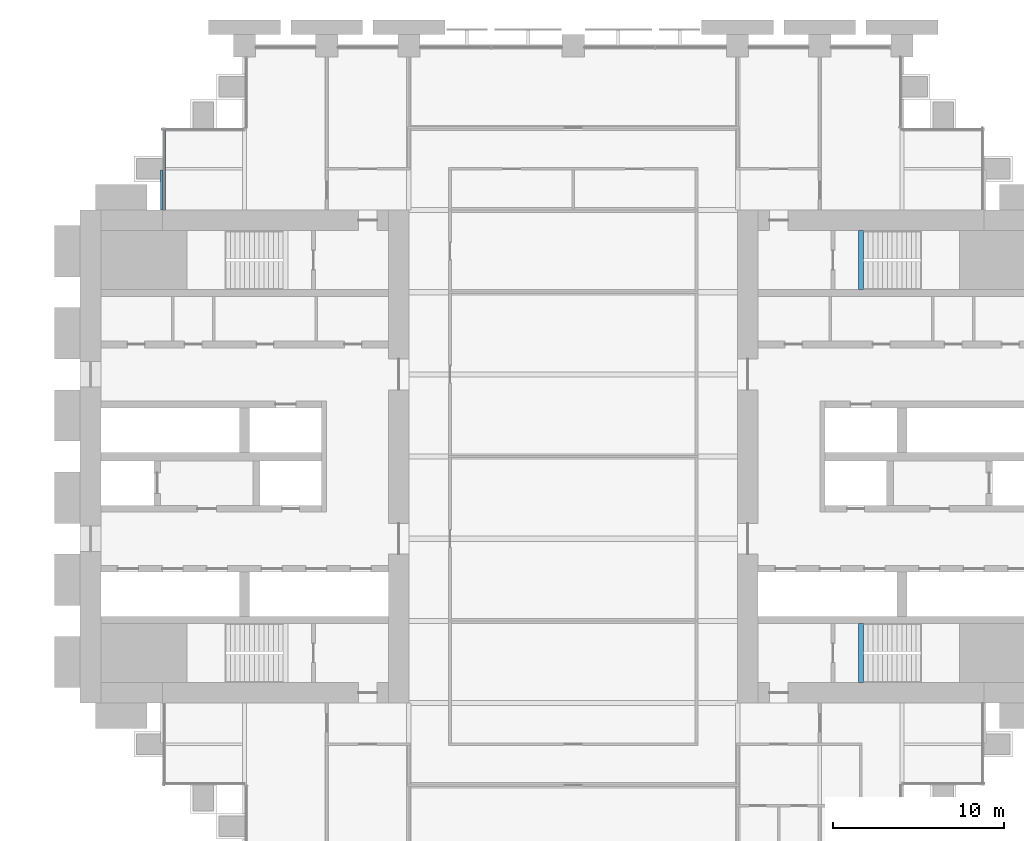
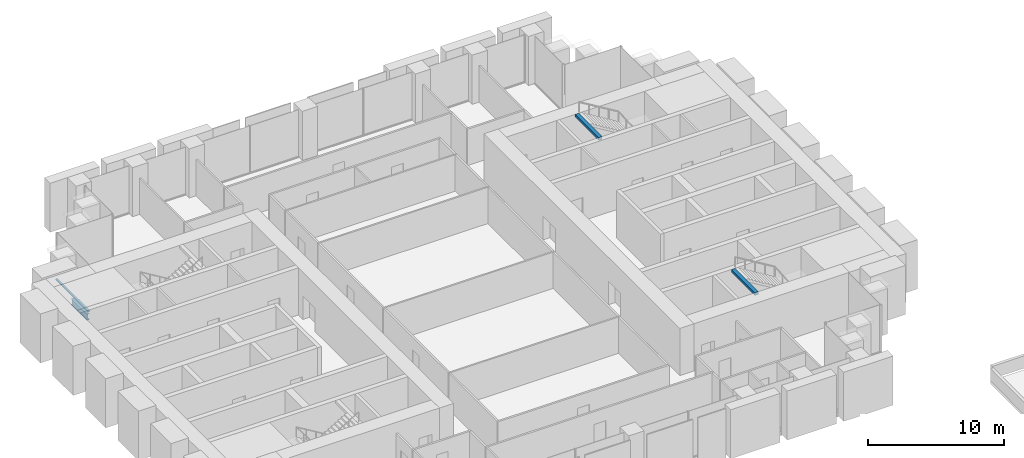
# One storey, part 5 of 14: 3 beams, 1 member, 1 element without a shape of its own.
"""IFC4 building model written with IfcOpenShell, lengths in metres."""

from ifc_helpers import new_model, si_unit, direction, frame, origin, origin_2d, place, context, subcontext, project, spatial, rectangle, i_section, extrude, material, material_profile, profile_set, type_object, element, aggregate, save


model = new_model("IFC4")

# Units and contexts
model_context = context("Model", 3, precision=1e-05, world=origin(), true_north=direction((0.0, 1.0)))
body_context = subcontext(model_context, "Body", "Model", "MODEL_VIEW")
ifc_project = project(units=[si_unit("LENGTHUNIT", "METRE"), si_unit("AREAUNIT", "SQUARE_METRE"), si_unit("VOLUMEUNIT", "CUBIC_METRE"), si_unit("PLANEANGLEUNIT", "RADIAN"), si_unit("MASSUNIT", "GRAM", prefix="KILO")], contexts=[model_context])

# Site, building, storey
site_placement = place(None, origin())
site = spatial("IfcSite", under=ifc_project, at=site_placement, CompositionType="ELEMENT")
building_placement = place(site_placement, origin())
building = spatial("IfcBuilding", under=site, at=building_placement, Name="Baori Bourse Tower", CompositionType="ELEMENT")
storey_placement = place(building_placement, frame((0.0, 0.0, 30.199951171875)))
storey = spatial("IfcBuildingStorey", under=building, at=storey_placement, Name="L05", CompositionType="ELEMENT", Elevation=30.199951171875)

# Curtain wall, member
ifc_material_1 = material(Name="Pale anodised aluminium", Category="aluminium")
curtain_wall_type = type_object("IfcCurtainWallType", Name="CW2 Curtain wall", PredefinedType="NOTDEFINED", material=ifc_material_1)
curtain_wall_placement = place(storey_placement, origin())
curtain_wall = element("IfcCurtainWall", 1, at=curtain_wall_placement, inside=storey, type_object=curtain_wall_type, Name="Curtain wall CW2 L05 7", PredefinedType="NOTDEFINED")
ifc_material_2 = material(Name="Pale anodised aluminium", Category="aluminium")
ifc_material_profile_1 = material_profile(ifc_material_2, rectangle(XDim=0.179931640625, YDim=0.070068359375, at=origin_2d()), Name="Transom 70x180")
ifc_profile_set_1 = profile_set([ifc_material_profile_1], Name="Pale anodised aluminium")
member_type = type_object("IfcMemberType", Name="CW2 Curtain wall transom", PredefinedType="USERDEFINED", material=ifc_profile_set_1)
member_placement = place(storey_placement, frame((4.889892578125, 43.199951171875, 0.03515625), z_axis=(0.0, -1.0, 0.0), x_axis=(1.0, 0.0, 0.0)))
member = element("IfcMember", 2, at=member_placement, type_object=member_type, Name="Curtain wall CW2 sill rail", ObjectType="TRANSOM", PredefinedType="USERDEFINED", context=body_context, shape_type="SweptSolid", body=[
    extrude(rectangle(XDim=0.179931640625, YDim=0.070068359375, at=origin_2d()), origin(), (0.0, 0.0, 1.0), 4.800048828125),
])
aggregate(curtain_wall, [member])

# Beams
ifc_material_3 = material(Name="Steel A992 Gr 50", Category="steel")
ifc_material_profile_2 = material_profile(ifc_material_3, i_section(OverallWidth=0.21240234375, OverallDepth=0.54345703125, WebThickness=0.01318359375, FlangeThickness=0.021240234375, at=origin_2d()), Name="W21x83")
ifc_profile_set_2 = profile_set([ifc_material_profile_2], Name="Steel A992 Gr 50")
beam_type_1 = type_object("IfcBeamType", Name="Core bracket W21x83", PredefinedType="BEAM", material=ifc_profile_set_2)
beam_placement = place(storey_placement, frame((4.800048828125, 38.39990234375, -0.431640625), z_axis=(0.0, 1.0, 0.0), x_axis=(-1.0, 0.0, 0.0)))
element("IfcBeam", 3, at=beam_placement, inside=storey, type_object=beam_type_1, Name="Core bracket L05", PredefinedType="BEAM", context=body_context, shape_type="SweptSolid", body=[
    extrude(i_section(OverallWidth=0.21240234375, OverallDepth=0.54345703125, WebThickness=0.01318359375, FlangeThickness=0.021240234375, at=origin_2d()), origin(), (0.0, 0.0, 1.0), 2.329833984375),
])
ifc_material_4 = material(Name="Concrete f'c 50 MPa", Category="concrete")
ifc_material_profile_3 = material_profile(ifc_material_4, rectangle(XDim=0.300048828125, YDim=0.25, at=origin_2d()), Name="RC 300x250")
ifc_profile_set_3 = profile_set([ifc_material_profile_3], Name="Concrete f'c 50 MPa")
beam_type_2 = type_object("IfcBeamType", Name="Stair nib beam RC 300x250", PredefinedType="BEAM", material=ifc_profile_set_3)
for number, where, z_axis, x_axis, name in (
    (4, (45.60009765625, 10.800048828125, 4.114990234375), (0.0, 1.0, 0.0), (-1.0, 0.0, 0.0), "Stair EA nib beam L06"),
    (5, (45.60009765625, 33.75, 4.114990234375), (0.0, 1.0, 0.0), (-1.0, 0.0, 0.0), "Stair EB nib beam L06"),
):
    element("IfcBeam", number, at=place(storey_placement, frame(where, z_axis=z_axis, x_axis=x_axis)), inside=storey, type_object=beam_type_2, Name=name, PredefinedType="BEAM", context=body_context, shape_type="SweptSolid", body=[
        extrude(rectangle(XDim=0.300048828125, YDim=0.25, at=origin_2d()), origin(), (0.0, 0.0, 1.0), 3.449951171875),
    ])

save(model, "model.ifc")
